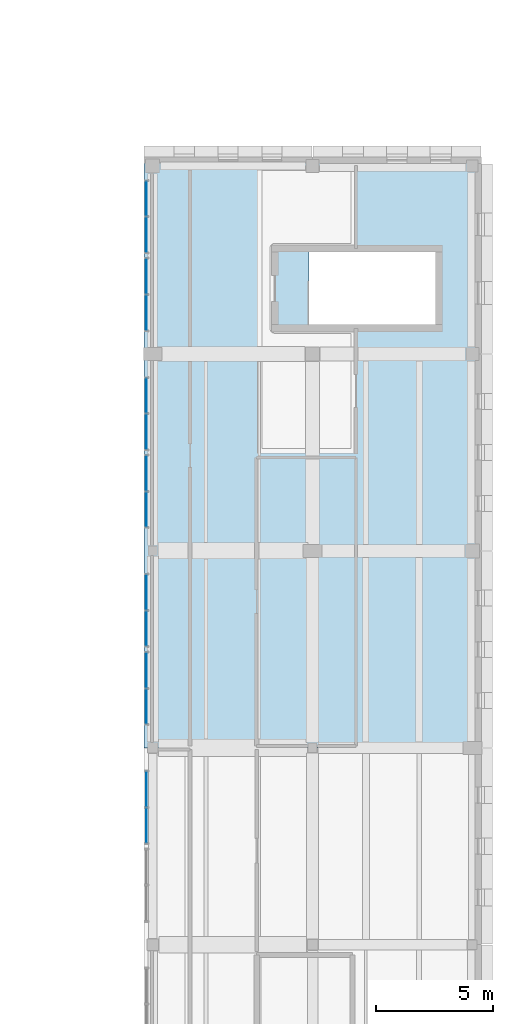
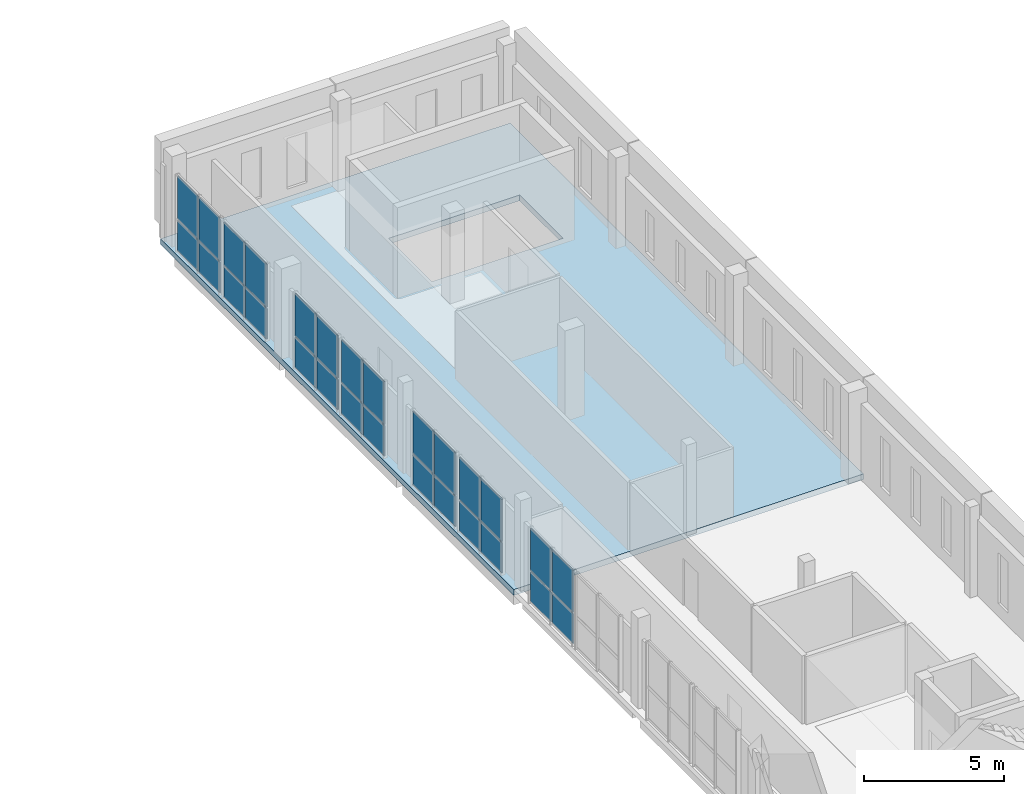
# One storey, part 34 of 56: 28 plates, 1 slab, 7 elements without a shape of their own.
"""IFC4 building model written with IfcOpenShell, lengths in metres."""

from ifc_helpers import new_model, si_unit, direction, frame, origin, origin_2d, place, context, subcontext, project, spatial, polyline, rectangle, outline, extrude, material, layer, layer_set, type_object, element, aggregate, save


model = new_model("IFC4")

# Units and contexts
model_context = context("Model", 3, precision=1e-05, world=origin(), true_north=direction((0.0, 1.0)))
body_context = subcontext(model_context, "Body", "Model", "MODEL_VIEW")
ifc_project = project(units=[si_unit("LENGTHUNIT", "METRE"), si_unit("AREAUNIT", "SQUARE_METRE"), si_unit("VOLUMEUNIT", "CUBIC_METRE"), si_unit("PLANEANGLEUNIT", "RADIAN"), si_unit("MASSUNIT", "GRAM", prefix="KILO")], contexts=[model_context])

# Site, building, storey
site_placement = place(None, origin())
site = spatial("IfcSite", under=ifc_project, at=site_placement, CompositionType="ELEMENT")
building_placement = place(site_placement, origin())
building = spatial("IfcBuilding", under=site, at=building_placement, Name="Vardoun Plaza Health Centre", CompositionType="ELEMENT")
storey_placement = place(building_placement, frame((0.0, 0.0, 8.699951171875)))
storey = spatial("IfcBuildingStorey", under=building, at=storey_placement, Name="L02", CompositionType="ELEMENT", Elevation=8.699951171875)

# Curtain wall, plates
ifc_material_1 = material(Name="Aluminium Alloy EN AW-6063-T6 and Low-E Glass", Category="aluminium")
ifc_layer_1 = layer(ifc_material_1, 0.179931640625)
ifc_layer_set_1 = layer_set([ifc_layer_1], Name="Aluminium Alloy EN AW-6063-T6 and Low-E Glass")
curtain_wall_type = type_object("IfcCurtainWallType", Name="CW-01", PredefinedType="USERDEFINED", material=ifc_layer_set_1)
curtain_wall_1_placement = place(storey_placement, origin())
curtain_wall_1 = element("IfcCurtainWall", 1, at=curtain_wall_1_placement, inside=storey, type_object=curtain_wall_type, Name="Curtain Wall CW-V6-220", ObjectType="CONCOURSE_CURTAIN_WALL", PredefinedType="USERDEFINED")
ifc_material_2 = material(Name="Acoustic Laminated Double Low-E Glazing", Category="glass")
ifc_layer_2 = layer(ifc_material_2, 0.031982421875)
ifc_layer_set_2 = layer_set([ifc_layer_2], Name="Acoustic Laminated Double Low-E Glazing")
plate_type = type_object("IfcPlateType", Name="CW-P2", PredefinedType="CURTAIN_PANEL", material=ifc_layer_set_2)
plate_1_placement = place(storey_placement, frame((151.02001953125, 58.186279296875, 0.06494140625), z_axis=(0.0, 0.0, 1.0), x_axis=(0.0, 1.0, 0.0)))
plate_1 = element("IfcPlate", 2, at=plate_1_placement, type_object=plate_type, Name="CW-V6-220 panel 1.1", PredefinedType="CURTAIN_PANEL", context=body_context, shape_type="SweptSolid", body=[
    extrude(rectangle(XDim=1.482421875, YDim=0.031982421875, at=origin_2d()), origin(), (0.0, 0.0, 1.0), 1.294921875),
])
plate_2_placement = place(storey_placement, frame((151.02001953125, 58.186279296875, 1.4248046875), z_axis=(0.0, 0.0, 1.0), x_axis=(0.0, 1.0, 0.0)))
plate_2 = element("IfcPlate", 3, at=plate_2_placement, type_object=plate_type, Name="CW-V6-220 panel 1.2", PredefinedType="CURTAIN_PANEL", context=body_context, shape_type="SweptSolid", body=[
    extrude(rectangle(XDim=1.482421875, YDim=0.031982421875, at=origin_2d()), origin(), (0.0, 0.0, 1.0), 1.8251953125),
])
plate_3_placement = place(storey_placement, frame((151.02001953125, 59.733642578125, 0.06494140625), z_axis=(0.0, 0.0, 1.0), x_axis=(0.0, 1.0, 0.0)))
plate_3 = element("IfcPlate", 4, at=plate_3_placement, type_object=plate_type, Name="CW-V6-220 panel 2.1", PredefinedType="CURTAIN_PANEL", context=body_context, shape_type="SweptSolid", body=[
    extrude(rectangle(XDim=1.482421875, YDim=0.031982421875, at=origin_2d()), origin(), (0.0, 0.0, 1.0), 1.294921875),
])
plate_4_placement = place(storey_placement, frame((151.02001953125, 59.733642578125, 1.4248046875), z_axis=(0.0, 0.0, 1.0), x_axis=(0.0, 1.0, 0.0)))
plate_4 = element("IfcPlate", 5, at=plate_4_placement, type_object=plate_type, Name="CW-V6-220 panel 2.2", PredefinedType="CURTAIN_PANEL", context=body_context, shape_type="SweptSolid", body=[
    extrude(rectangle(XDim=1.482421875, YDim=0.031982421875, at=origin_2d()), origin(), (0.0, 0.0, 1.0), 1.8251953125),
])
aggregate(curtain_wall_1, [plate_1, plate_2, plate_3, plate_4])

curtain_wall_2_placement = place(storey_placement, origin())
curtain_wall_2 = element("IfcCurtainWall", 6, at=curtain_wall_2_placement, inside=storey, type_object=curtain_wall_type, Name="Curtain Wall CW-V6-221", ObjectType="CONCOURSE_CURTAIN_WALL", PredefinedType="USERDEFINED")
plate_5_placement = place(storey_placement, frame((151.02001953125, 63.266357421875, 0.06494140625), z_axis=(0.0, 0.0, 1.0), x_axis=(0.0, 1.0, 0.0)))
plate_5 = element("IfcPlate", 7, at=plate_5_placement, type_object=plate_type, Name="CW-V6-221 panel 1.1", PredefinedType="CURTAIN_PANEL", context=body_context, shape_type="SweptSolid", body=[
    extrude(rectangle(XDim=1.482421875, YDim=0.031982421875, at=origin_2d()), origin(), (0.0, 0.0, 1.0), 1.30322265625),
])
plate_6_placement = place(storey_placement, frame((151.02001953125, 63.266357421875, 1.43310546875), z_axis=(0.0, 0.0, 1.0), x_axis=(0.0, 1.0, 0.0)))
plate_6 = element("IfcPlate", 8, at=plate_6_placement, type_object=plate_type, Name="CW-V6-221 panel 1.2", PredefinedType="CURTAIN_PANEL", context=body_context, shape_type="SweptSolid", body=[
    extrude(rectangle(XDim=1.482421875, YDim=0.031982421875, at=origin_2d()), origin(), (0.0, 0.0, 1.0), 1.8369140625),
])
plate_7_placement = place(storey_placement, frame((151.02001953125, 64.813720703125, 0.06494140625), z_axis=(0.0, 0.0, 1.0), x_axis=(0.0, 1.0, 0.0)))
plate_7 = element("IfcPlate", 9, at=plate_7_placement, type_object=plate_type, Name="CW-V6-221 panel 2.1", PredefinedType="CURTAIN_PANEL", context=body_context, shape_type="SweptSolid", body=[
    extrude(rectangle(XDim=1.482421875, YDim=0.031982421875, at=origin_2d()), origin(), (0.0, 0.0, 1.0), 1.30322265625),
])
plate_8_placement = place(storey_placement, frame((151.02001953125, 64.813720703125, 1.43310546875), z_axis=(0.0, 0.0, 1.0), x_axis=(0.0, 1.0, 0.0)))
plate_8 = element("IfcPlate", 10, at=plate_8_placement, type_object=plate_type, Name="CW-V6-221 panel 2.2", PredefinedType="CURTAIN_PANEL", context=body_context, shape_type="SweptSolid", body=[
    extrude(rectangle(XDim=1.482421875, YDim=0.031982421875, at=origin_2d()), origin(), (0.0, 0.0, 1.0), 1.8369140625),
])
aggregate(curtain_wall_2, [plate_5, plate_6, plate_7, plate_8])

curtain_wall_3_placement = place(storey_placement, origin())
curtain_wall_3 = element("IfcCurtainWall", 11, at=curtain_wall_3_placement, inside=storey, type_object=curtain_wall_type, Name="Curtain Wall CW-V6-222", ObjectType="CONCOURSE_CURTAIN_WALL", PredefinedType="USERDEFINED")
plate_9_placement = place(storey_placement, frame((151.02001953125, 66.586181640625, 0.06494140625), z_axis=(0.0, 0.0, 1.0), x_axis=(0.0, 1.0, 0.0)))
plate_9 = element("IfcPlate", 12, at=plate_9_placement, type_object=plate_type, Name="CW-V6-222 panel 1.1", PredefinedType="CURTAIN_PANEL", context=body_context, shape_type="SweptSolid", body=[
    extrude(rectangle(XDim=1.482421875, YDim=0.031982421875, at=origin_2d()), origin(), (0.0, 0.0, 1.0), 1.30322265625),
])
plate_10_placement = place(storey_placement, frame((151.02001953125, 66.586181640625, 1.43310546875), z_axis=(0.0, 0.0, 1.0), x_axis=(0.0, 1.0, 0.0)))
plate_10 = element("IfcPlate", 13, at=plate_10_placement, type_object=plate_type, Name="CW-V6-222 panel 1.2", PredefinedType="CURTAIN_PANEL", context=body_context, shape_type="SweptSolid", body=[
    extrude(rectangle(XDim=1.482421875, YDim=0.031982421875, at=origin_2d()), origin(), (0.0, 0.0, 1.0), 1.8369140625),
])
plate_11_placement = place(storey_placement, frame((151.02001953125, 68.1337890625, 0.06494140625), z_axis=(0.0, 0.0, 1.0), x_axis=(0.0, 1.0, 0.0)))
plate_11 = element("IfcPlate", 14, at=plate_11_placement, type_object=plate_type, Name="CW-V6-222 panel 2.1", PredefinedType="CURTAIN_PANEL", context=body_context, shape_type="SweptSolid", body=[
    extrude(rectangle(XDim=1.482421875, YDim=0.031982421875, at=origin_2d()), origin(), (0.0, 0.0, 1.0), 1.30322265625),
])
plate_12_placement = place(storey_placement, frame((151.02001953125, 68.1337890625, 1.43310546875), z_axis=(0.0, 0.0, 1.0), x_axis=(0.0, 1.0, 0.0)))
plate_12 = element("IfcPlate", 15, at=plate_12_placement, type_object=plate_type, Name="CW-V6-222 panel 2.2", PredefinedType="CURTAIN_PANEL", context=body_context, shape_type="SweptSolid", body=[
    extrude(rectangle(XDim=1.482421875, YDim=0.031982421875, at=origin_2d()), origin(), (0.0, 0.0, 1.0), 1.8369140625),
])
aggregate(curtain_wall_3, [plate_9, plate_10, plate_11, plate_12])

curtain_wall_4_placement = place(storey_placement, origin())
curtain_wall_4 = element("IfcCurtainWall", 16, at=curtain_wall_4_placement, inside=storey, type_object=curtain_wall_type, Name="Curtain Wall CW-V6-223", ObjectType="CONCOURSE_CURTAIN_WALL", PredefinedType="USERDEFINED")
plate_13_placement = place(storey_placement, frame((151.02001953125, 71.666259765625, 0.065185546875), z_axis=(0.0, 0.0, 1.0), x_axis=(0.0, 1.0, 0.0)))
plate_13 = element("IfcPlate", 17, at=plate_13_placement, type_object=plate_type, Name="CW-V6-223 panel 1.1", PredefinedType="CURTAIN_PANEL", context=body_context, shape_type="SweptSolid", body=[
    extrude(rectangle(XDim=1.482421875, YDim=0.031982421875, at=origin_2d()), origin(), (0.0, 0.0, 1.0), 1.3115234375),
])
plate_14_placement = place(storey_placement, frame((151.02001953125, 71.666259765625, 1.44189453125), z_axis=(0.0, 0.0, 1.0), x_axis=(0.0, 1.0, 0.0)))
plate_14 = element("IfcPlate", 18, at=plate_14_placement, type_object=plate_type, Name="CW-V6-223 panel 1.2", PredefinedType="CURTAIN_PANEL", context=body_context, shape_type="SweptSolid", body=[
    extrude(rectangle(XDim=1.482421875, YDim=0.031982421875, at=origin_2d()), origin(), (0.0, 0.0, 1.0), 1.848388671875),
])
plate_15_placement = place(storey_placement, frame((151.02001953125, 73.2138671875, 0.065185546875), z_axis=(0.0, 0.0, 1.0), x_axis=(0.0, 1.0, 0.0)))
plate_15 = element("IfcPlate", 19, at=plate_15_placement, type_object=plate_type, Name="CW-V6-223 panel 2.1", PredefinedType="CURTAIN_PANEL", context=body_context, shape_type="SweptSolid", body=[
    extrude(rectangle(XDim=1.482421875, YDim=0.031982421875, at=origin_2d()), origin(), (0.0, 0.0, 1.0), 1.3115234375),
])
plate_16_placement = place(storey_placement, frame((151.02001953125, 73.2138671875, 1.44189453125), z_axis=(0.0, 0.0, 1.0), x_axis=(0.0, 1.0, 0.0)))
plate_16 = element("IfcPlate", 20, at=plate_16_placement, type_object=plate_type, Name="CW-V6-223 panel 2.2", PredefinedType="CURTAIN_PANEL", context=body_context, shape_type="SweptSolid", body=[
    extrude(rectangle(XDim=1.482421875, YDim=0.031982421875, at=origin_2d()), origin(), (0.0, 0.0, 1.0), 1.848388671875),
])
aggregate(curtain_wall_4, [plate_13, plate_14, plate_15, plate_16])

curtain_wall_5_placement = place(storey_placement, origin())
curtain_wall_5 = element("IfcCurtainWall", 21, at=curtain_wall_5_placement, inside=storey, type_object=curtain_wall_type, Name="Curtain Wall CW-V6-224", ObjectType="CONCOURSE_CURTAIN_WALL", PredefinedType="USERDEFINED")
plate_17_placement = place(storey_placement, frame((151.02001953125, 74.986328125, 0.065185546875), z_axis=(0.0, 0.0, 1.0), x_axis=(0.0, 1.0, 0.0)))
plate_17 = element("IfcPlate", 22, at=plate_17_placement, type_object=plate_type, Name="CW-V6-224 panel 1.1", PredefinedType="CURTAIN_PANEL", context=body_context, shape_type="SweptSolid", body=[
    extrude(rectangle(XDim=1.482421875, YDim=0.031982421875, at=origin_2d()), origin(), (0.0, 0.0, 1.0), 1.3115234375),
])
plate_18_placement = place(storey_placement, frame((151.02001953125, 74.986328125, 1.44189453125), z_axis=(0.0, 0.0, 1.0), x_axis=(0.0, 1.0, 0.0)))
plate_18 = element("IfcPlate", 23, at=plate_18_placement, type_object=plate_type, Name="CW-V6-224 panel 1.2", PredefinedType="CURTAIN_PANEL", context=body_context, shape_type="SweptSolid", body=[
    extrude(rectangle(XDim=1.482421875, YDim=0.031982421875, at=origin_2d()), origin(), (0.0, 0.0, 1.0), 1.848388671875),
])
plate_19_placement = place(storey_placement, frame((151.02001953125, 76.53369140625, 0.065185546875), z_axis=(0.0, 0.0, 1.0), x_axis=(0.0, 1.0, 0.0)))
plate_19 = element("IfcPlate", 24, at=plate_19_placement, type_object=plate_type, Name="CW-V6-224 panel 2.1", PredefinedType="CURTAIN_PANEL", context=body_context, shape_type="SweptSolid", body=[
    extrude(rectangle(XDim=1.482421875, YDim=0.031982421875, at=origin_2d()), origin(), (0.0, 0.0, 1.0), 1.3115234375),
])
plate_20_placement = place(storey_placement, frame((151.02001953125, 76.53369140625, 1.44189453125), z_axis=(0.0, 0.0, 1.0), x_axis=(0.0, 1.0, 0.0)))
plate_20 = element("IfcPlate", 25, at=plate_20_placement, type_object=plate_type, Name="CW-V6-224 panel 2.2", PredefinedType="CURTAIN_PANEL", context=body_context, shape_type="SweptSolid", body=[
    extrude(rectangle(XDim=1.482421875, YDim=0.031982421875, at=origin_2d()), origin(), (0.0, 0.0, 1.0), 1.848388671875),
])
aggregate(curtain_wall_5, [plate_17, plate_18, plate_19, plate_20])

curtain_wall_6_placement = place(storey_placement, origin())
curtain_wall_6 = element("IfcCurtainWall", 26, at=curtain_wall_6_placement, inside=storey, type_object=curtain_wall_type, Name="Curtain Wall CW-V6-225", ObjectType="CONCOURSE_CURTAIN_WALL", PredefinedType="USERDEFINED")
plate_21_placement = place(storey_placement, frame((151.02001953125, 80.066162109375, 0.06494140625), z_axis=(0.0, 0.0, 1.0), x_axis=(0.0, 1.0, 0.0)))
plate_21 = element("IfcPlate", 27, at=plate_21_placement, type_object=plate_type, Name="CW-V6-225 panel 1.1", PredefinedType="CURTAIN_PANEL", context=body_context, shape_type="SweptSolid", body=[
    extrude(rectangle(XDim=1.482421875, YDim=0.031982421875, at=origin_2d()), origin(), (0.0, 0.0, 1.0), 1.32421875),
])
plate_22_placement = place(storey_placement, frame((151.02001953125, 80.066162109375, 1.454345703125), z_axis=(0.0, 0.0, 1.0), x_axis=(0.0, 1.0, 0.0)))
plate_22 = element("IfcPlate", 28, at=plate_22_placement, type_object=plate_type, Name="CW-V6-225 panel 1.2", PredefinedType="CURTAIN_PANEL", context=body_context, shape_type="SweptSolid", body=[
    extrude(rectangle(XDim=1.482421875, YDim=0.031982421875, at=origin_2d()), origin(), (0.0, 0.0, 1.0), 1.86572265625),
])
plate_23_placement = place(storey_placement, frame((151.02001953125, 81.61376953125, 0.06494140625), z_axis=(0.0, 0.0, 1.0), x_axis=(0.0, 1.0, 0.0)))
plate_23 = element("IfcPlate", 29, at=plate_23_placement, type_object=plate_type, Name="CW-V6-225 panel 2.1", PredefinedType="CURTAIN_PANEL", context=body_context, shape_type="SweptSolid", body=[
    extrude(rectangle(XDim=1.482421875, YDim=0.031982421875, at=origin_2d()), origin(), (0.0, 0.0, 1.0), 1.32421875),
])
plate_24_placement = place(storey_placement, frame((151.02001953125, 81.61376953125, 1.454345703125), z_axis=(0.0, 0.0, 1.0), x_axis=(0.0, 1.0, 0.0)))
plate_24 = element("IfcPlate", 30, at=plate_24_placement, type_object=plate_type, Name="CW-V6-225 panel 2.2", PredefinedType="CURTAIN_PANEL", context=body_context, shape_type="SweptSolid", body=[
    extrude(rectangle(XDim=1.482421875, YDim=0.031982421875, at=origin_2d()), origin(), (0.0, 0.0, 1.0), 1.86572265625),
])
aggregate(curtain_wall_6, [plate_21, plate_22, plate_23, plate_24])

curtain_wall_7_placement = place(storey_placement, origin())
curtain_wall_7 = element("IfcCurtainWall", 31, at=curtain_wall_7_placement, inside=storey, type_object=curtain_wall_type, Name="Curtain Wall CW-V6-226", ObjectType="CONCOURSE_CURTAIN_WALL", PredefinedType="USERDEFINED")
plate_25_placement = place(storey_placement, frame((151.02001953125, 83.38623046875, 0.06494140625), z_axis=(0.0, 0.0, 1.0), x_axis=(0.0, 1.0, 0.0)))
plate_25 = element("IfcPlate", 32, at=plate_25_placement, type_object=plate_type, Name="CW-V6-226 panel 1.1", PredefinedType="CURTAIN_PANEL", context=body_context, shape_type="SweptSolid", body=[
    extrude(rectangle(XDim=1.482421875, YDim=0.031982421875, at=origin_2d()), origin(), (0.0, 0.0, 1.0), 1.32421875),
])
plate_26_placement = place(storey_placement, frame((151.02001953125, 83.38623046875, 1.454345703125), z_axis=(0.0, 0.0, 1.0), x_axis=(0.0, 1.0, 0.0)))
plate_26 = element("IfcPlate", 33, at=plate_26_placement, type_object=plate_type, Name="CW-V6-226 panel 1.2", PredefinedType="CURTAIN_PANEL", context=body_context, shape_type="SweptSolid", body=[
    extrude(rectangle(XDim=1.482421875, YDim=0.031982421875, at=origin_2d()), origin(), (0.0, 0.0, 1.0), 1.86572265625),
])
plate_27_placement = place(storey_placement, frame((151.02001953125, 84.933837890625, 0.06494140625), z_axis=(0.0, 0.0, 1.0), x_axis=(0.0, 1.0, 0.0)))
plate_27 = element("IfcPlate", 34, at=plate_27_placement, type_object=plate_type, Name="CW-V6-226 panel 2.1", PredefinedType="CURTAIN_PANEL", context=body_context, shape_type="SweptSolid", body=[
    extrude(rectangle(XDim=1.482421875, YDim=0.031982421875, at=origin_2d()), origin(), (0.0, 0.0, 1.0), 1.32421875),
])
plate_28_placement = place(storey_placement, frame((151.02001953125, 84.933837890625, 1.454345703125), z_axis=(0.0, 0.0, 1.0), x_axis=(0.0, 1.0, 0.0)))
plate_28 = element("IfcPlate", 35, at=plate_28_placement, type_object=plate_type, Name="CW-V6-226 panel 2.2", PredefinedType="CURTAIN_PANEL", context=body_context, shape_type="SweptSolid", body=[
    extrude(rectangle(XDim=1.482421875, YDim=0.031982421875, at=origin_2d()), origin(), (0.0, 0.0, 1.0), 1.86572265625),
])
aggregate(curtain_wall_7, [plate_25, plate_26, plate_27, plate_28])

# Slab
ifc_material_3 = material(Name="Concrete C35/45", Category="concrete")
ifc_layer_3 = layer(ifc_material_3, 0.25)
ifc_layer_set_3 = layer_set([ifc_layer_3], Name="Concrete C35/45")
slab_type = type_object("IfcSlabType", Name="SL-01", PredefinedType="FLOOR", material=ifc_layer_set_3)
slab_placement = place(storey_placement, frame((0.0, 0.0, -0.25)))
element("IfcSlab", 36, at=slab_placement, inside=storey, type_object=slab_type, Name="V6 L02 Structural Slab N", PredefinedType="FLOOR", context=body_context, shape_type="SweptSolid", body=[
    extrude(outline(polyline([(150.89990234375, 61.5), (165.300048828125, 61.5), (165.300048828125, 86.699951171875), (150.89990234375, 86.699951171875), (150.89990234375, 61.5)]), holes=[polyline([(157.95068359375, 79.550048828125), (163.35009765625, 79.550048828125), (163.35009765625, 82.64990234375), (157.95068359375, 82.64990234375), (157.95068359375, 79.550048828125)])]), origin(), (0.0, 0.0, 1.0), 0.25),
])

save(model, "model.ifc")
